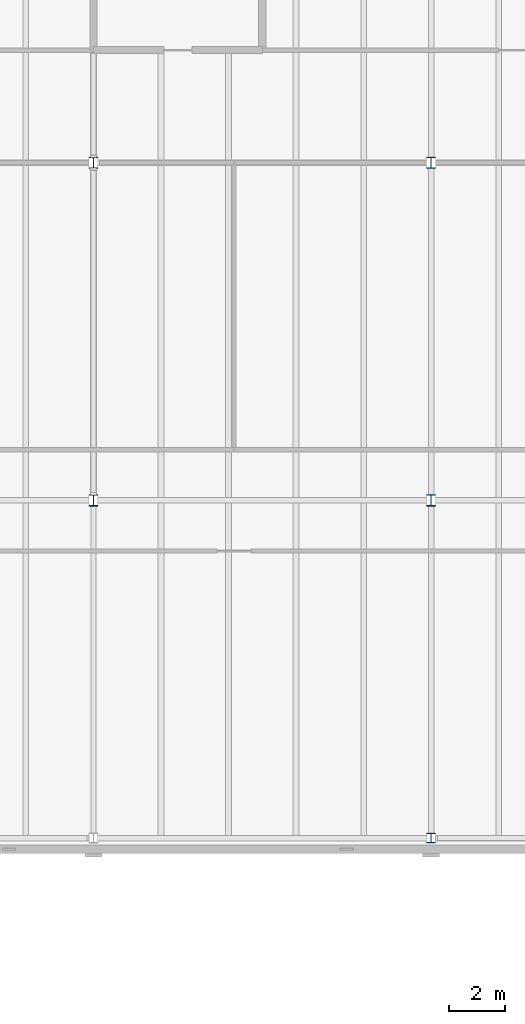
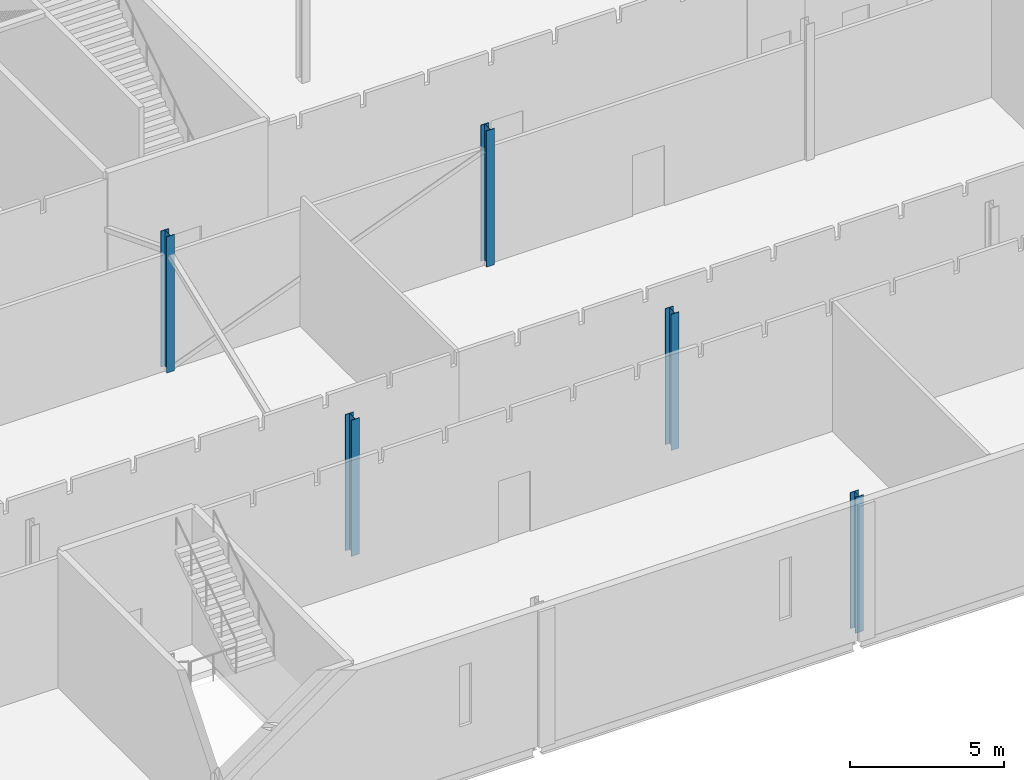
# One storey, part 11 of 170: 5 columns.
"""IFC4 building model written with IfcOpenShell, lengths in metres."""

from ifc_helpers import new_model, si_unit, direction, frame, origin, origin_2d, place, context, subcontext, project, spatial, i_section, extrude, material, material_profile, profile_set, type_object, element, save


model = new_model("IFC4")

# Units and contexts
model_context = context("Model", 3, precision=1e-05, world=origin(), true_north=direction((0.0, 1.0)))
body_context = subcontext(model_context, "Body", "Model", "MODEL_VIEW")
ifc_project = project(units=[si_unit("LENGTHUNIT", "METRE"), si_unit("AREAUNIT", "SQUARE_METRE"), si_unit("VOLUMEUNIT", "CUBIC_METRE"), si_unit("PLANEANGLEUNIT", "RADIAN"), si_unit("MASSUNIT", "GRAM", prefix="KILO")], contexts=[model_context])

# Site, building, storey
site_placement = place(None, origin())
site = spatial("IfcSite", under=ifc_project, at=site_placement, CompositionType="ELEMENT")
building_placement = place(site_placement, origin())
building = spatial("IfcBuilding", under=site, at=building_placement, Name="Ravi Spectrum Wholesale Market", CompositionType="ELEMENT")
storey_placement = place(building_placement, frame((0.0, 0.0, 5.39990234375)))
storey = spatial("IfcBuildingStorey", under=building, at=storey_placement, Name="L01", CompositionType="ELEMENT", Elevation=5.39990234375)

# Columns
ifc_material_1 = material(Name="Steel S355", Category="steel")
ifc_material_profile_1 = material_profile(ifc_material_1, i_section(OverallWidth=0.300048828125, OverallDepth=0.340087890625, WebThickness=0.011962890625, FlangeThickness=0.021484375, at=origin_2d()))
ifc_profile_set_1 = profile_set([ifc_material_profile_1], Name="Steel S355")
column_type_1 = type_object("IfcColumnType", Name="HEB 340 column", PredefinedType="COLUMN", material=ifc_profile_set_1)
column_placement = place(storey_placement, frame((258.0, 18.0, 0.0), z_axis=(0.0, 0.0, 1.0), x_axis=(1.0, 0.0, 0.0)))
element("IfcColumn", 1, at=column_placement, inside=storey, type_object=column_type_1, Name="CS-COL-L01-026", PredefinedType="COLUMN", context=body_context, shape_type="SweptSolid", body=[
    extrude(i_section(OverallWidth=0.300048828125, OverallDepth=0.340087890625, WebThickness=0.011962890625, FlangeThickness=0.021484375, at=origin_2d()), origin(), (0.0, 0.0, 1.0), 5.400146484375),
])
ifc_material_2 = material(Name="Steel S355", Category="steel")
ifc_material_profile_2 = material_profile(ifc_material_2, i_section(OverallWidth=0.300048828125, OverallDepth=0.39990234375, WebThickness=0.013427734375, FlangeThickness=0.02392578125, at=origin_2d()))
ifc_profile_set_2 = profile_set([ifc_material_profile_2], Name="Steel S355")
column_type_2 = type_object("IfcColumnType", Name="HEB 400 column", PredefinedType="COLUMN", material=ifc_profile_set_2)
for number, where, z_axis, x_axis, name in (
    (2, (246.0, 30.0, 0.0), (0.0, 0.0, 1.0), (1.0, 0.0, 0.0), "CS-COL-L01-022"),
    (3, (246.0, 42.0, 0.0), (0.0, 0.0, 1.0), (1.0, 0.0, 0.0), "CS-COL-L01-023"),
    (4, (258.0, 30.0, 0.0), (0.0, 0.0, 1.0), (1.0, 0.0, 0.0), "CS-COL-L01-027"),
    (5, (258.0, 42.0, 0.0), (0.0, 0.0, 1.0), (1.0, 0.0, 0.0), "CS-COL-L01-028"),
):
    element("IfcColumn", number, at=place(storey_placement, frame(where, z_axis=z_axis, x_axis=x_axis)), inside=storey, type_object=column_type_2, Name=name, PredefinedType="COLUMN", context=body_context, shape_type="SweptSolid", body=[
        extrude(i_section(OverallWidth=0.300048828125, OverallDepth=0.39990234375, WebThickness=0.013427734375, FlangeThickness=0.02392578125, at=origin_2d()), origin(), (0.0, 0.0, 1.0), 5.400146484375),
    ])

save(model, "model.ifc")
